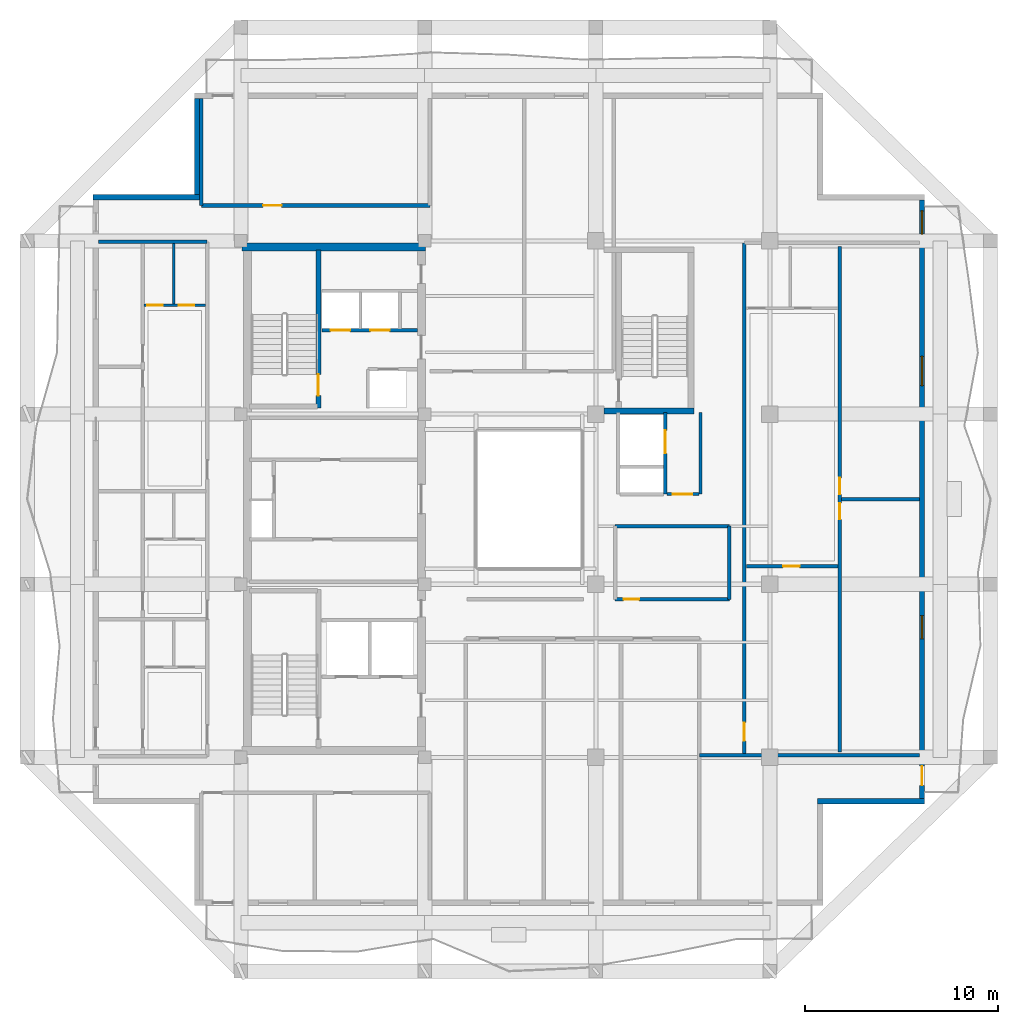
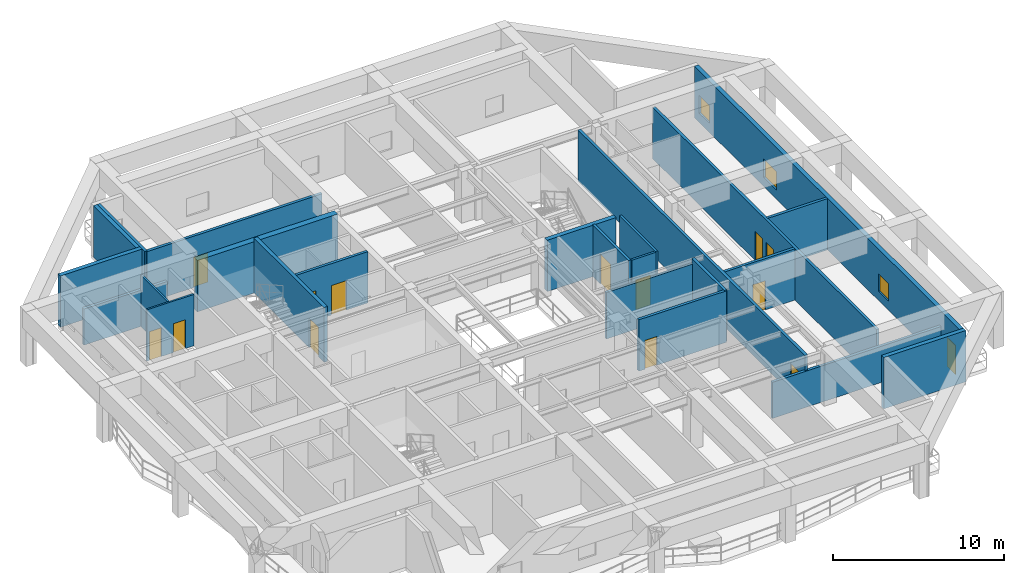
# One storey, part 5 of 11: 24 walls, 14 doors, 3 windows, 17 openings.
"""IFC4 building model written with IfcOpenShell, lengths in metres."""

from ifc_helpers import new_model, si_unit, direction, frame, frame_2d, origin, place, context, subcontext, project, spatial, rectangle, extrude, material, layer, layer_set, type_object, element, fill, save


model = new_model("IFC4")

# Units and contexts
model_context = context("Model", 3, precision=1e-05, world=origin(), true_north=direction((0.0, 1.0)))
body_context = subcontext(model_context, "Body", "Model", "MODEL_VIEW")
ifc_project = project(units=[si_unit("LENGTHUNIT", "METRE"), si_unit("AREAUNIT", "SQUARE_METRE"), si_unit("VOLUMEUNIT", "CUBIC_METRE"), si_unit("PLANEANGLEUNIT", "RADIAN"), si_unit("MASSUNIT", "GRAM", prefix="KILO")], contexts=[model_context])

# Site, building, storey
site_placement = place(None, origin())
site = spatial("IfcSite", under=ifc_project, at=site_placement, CompositionType="ELEMENT")
building_placement = place(site_placement, origin())
building = spatial("IfcBuilding", under=site, at=building_placement, Name="Kundavana Baori Tower", CompositionType="ELEMENT")
storey_placement = place(building_placement, frame((0.0, 0.0, 268.699951171875)))
storey = spatial("IfcBuildingStorey", under=building, at=storey_placement, Name="L66", CompositionType="ELEMENT", Elevation=268.699951171875)

# Wall
ifc_material_1 = material(Name="Concrete C50/60", Category="concrete")
ifc_layer_1 = layer(ifc_material_1, 0.39990234375, Name="WL-CORE-400")
ifc_layer_set_1 = layer_set([ifc_layer_1], Name="Concrete C50/60")
wall_type_1 = type_object("IfcWallType", Name="WL-CORE-400", PredefinedType="SHEAR", material=ifc_layer_set_1)
wall_1_placement = place(storey_placement, frame((15.5, 41.639892578125, 0.0), z_axis=(0.0, 0.0, 1.0), x_axis=(1.0, 0.0, 0.0)))
element("IfcWall", 1, at=wall_1_placement, inside=storey, type_object=wall_type_1, Name="L66 Offset Core North Shear Wall", PredefinedType="SHEAR", context=body_context, shape_type="SweptSolid", body=[
    extrude(rectangle(XDim=9.47998046875, YDim=0.39990234375, at=frame_2d((4.739990234375, 0.0))), origin(), (0.0, 0.0, 1.0), 3.66015625),
])

# Wall, opening, door
wall_2_placement = place(storey_placement, frame((19.4599609375, 33.300048828125, 0.0), z_axis=(0.0, 0.0, 1.0), x_axis=(0.0, 1.0, 0.0)))
wall_2 = element("IfcWall", 2, at=wall_2_placement, inside=storey, type_object=wall_type_1, Name="WL-L66-ST2-E", PredefinedType="SHEAR", context=body_context, shape_type="SweptSolid", body=[
    extrude(rectangle(XDim=8.179931640625, YDim=0.239990234375, at=frame_2d((4.08984375, 0.0))), origin(), (0.0, 0.0, 1.0), 3.900146484375),
])
opening_1_placement = place(wall_2_placement, frame((0.64990234375, 0.0, 0.0)))
opening_1 = element("IfcOpeningElement", 3, at=opening_1_placement, cuts=wall_2, Name="Opening FD-110", PredefinedType="OPENING", context=body_context, shape_type="SweptSolid", body=[
    extrude(rectangle(XDim=1.10009765625, YDim=2.10009765625, at=frame_2d((0.550048828125, 1.050048828125))), frame((0.0, 0.1298828125, 0.0), z_axis=(0.0, -1.0, 0.0), x_axis=(1.0, 0.0, 0.0)), (0.0, 0.0, 1.0), 0.260009765625),
])
ifc_material_2 = material(Name="Galvanised Steel Fire-Rated Door Leaf", Category="steel")
door_type_1 = type_object("IfcDoorType", Name="DR-FD120-1100", OperationType="NOTDEFINED", PredefinedType="DOOR", material=ifc_material_2)
door_1_placement = place(opening_1_placement, origin())
door_1 = element("IfcDoor", 4, at=door_1_placement, inside=storey, type_object=door_type_1, Name="DR-L66-ST2", OperationType="SINGLE_SWING_RIGHT", OverallHeight=2.10009765625, OverallWidth=1.10009765625, PredefinedType="DOOR", context=body_context, shape_type="SweptSolid", body=[
    extrude(rectangle(XDim=1.10009765625, YDim=2.10009765625, at=frame_2d((0.550048828125, 1.050048828125))), frame((0.0, 0.02490234375, 0.0), z_axis=(0.0, -1.0, 0.0), x_axis=(1.0, 0.0, 0.0)), (0.0, 0.0, 1.0), 0.050048828125),
])
fill(opening_1, door_1)

# Wall
ifc_material_3 = material(Name="Red-Buff Dholpur Sandstone Cladding on Concrete C40/50", Category="masonry")
ifc_layer_2 = layer(ifc_material_3, 0.280029296875, Name="WL-EXT-SAND-280")
ifc_layer_set_2 = layer_set([ifc_layer_2], Name="Red-Buff Dholpur Sandstone Cladding on Concrete C40/50")
wall_type_2 = type_object("IfcWallType", Name="WL-EXT-SAND-280", PredefinedType="STANDARD", material=ifc_layer_set_2)
wall_3_placement = place(storey_placement, frame((45.27001953125, 12.989990234375, 0.0), z_axis=(0.0, 0.0, 1.0), x_axis=(1.0, 0.0, 0.0)))
element("IfcWall", 5, at=wall_3_placement, inside=storey, type_object=wall_type_2, Name="L66 Exterior Insulated Facade Wall 03", PredefinedType="STANDARD", context=body_context, shape_type="SweptSolid", body=[
    extrude(rectangle(XDim=5.530029296875, YDim=0.280029296875, at=frame_2d((2.76513671875, 0.0))), origin(), (0.0, 0.0, 1.0), 3.66015625),
])

# Wall, openings, door, windows
wall_4_placement = place(storey_placement, frame((50.659912109375, 13.1298828125, 0.0), z_axis=(0.0, 0.0, 1.0), x_axis=(0.0, 1.0, 0.0)))
wall_4 = element("IfcWall", 6, at=wall_4_placement, inside=storey, type_object=wall_type_2, Name="L66 Exterior Insulated Facade Wall 04", PredefinedType="STANDARD", context=body_context, shape_type="SweptSolid", body=[
    extrude(rectangle(XDim=30.940185546875, YDim=0.280029296875, at=frame_2d((15.47021484375, 0.0))), origin(), (0.0, 0.0, 1.0), 3.66015625),
])
opening_2_placement = place(wall_4_placement, frame((0.669921875, 0.0, 0.0)))
opening_2 = element("IfcOpeningElement", 7, at=opening_2_placement, cuts=wall_4, Name="Opening BD-1", PredefinedType="OPENING", context=body_context, shape_type="SweptSolid", body=[
    extrude(rectangle(XDim=1.0, YDim=2.050048828125, at=frame_2d((0.5, 1.02490234375))), frame((0.0, 0.14990234375, 0.0), z_axis=(0.0, -1.0, 0.0), x_axis=(1.0, 0.0, 0.0)), (0.0, 0.0, 1.0), 0.300048828125),
])
opening_3_placement = place(wall_4_placement, frame((8.2451171875, 0.0, 0.64990234375)))
opening_3 = element("IfcOpeningElement", 8, at=opening_3_placement, cuts=wall_4, Name="Opening W-12", PredefinedType="OPENING", context=body_context, shape_type="SweptSolid", body=[
    extrude(rectangle(XDim=1.199951171875, YDim=1.25, at=frame_2d((0.60009765625, 0.625))), frame((0.0, 0.14990234375, 0.0), z_axis=(0.0, -1.0, 0.0), x_axis=(1.0, 0.0, 0.0)), (0.0, 0.0, 1.0), 0.300048828125),
])
opening_4_placement = place(wall_4_placement, frame((21.344970703125, 0.0, 0.64990234375)))
opening_4 = element("IfcOpeningElement", 9, at=opening_4_placement, cuts=wall_4, Name="Opening W-11", PredefinedType="OPENING", context=body_context, shape_type="SweptSolid", body=[
    extrude(rectangle(XDim=1.5, YDim=1.300048828125, at=frame_2d((0.75, 0.64990234375))), frame((0.0, 0.14990234375, 0.0), z_axis=(0.0, -1.0, 0.0), x_axis=(1.0, 0.0, 0.0)), (0.0, 0.0, 1.0), 0.300048828125),
])
opening_5_placement = place(wall_4_placement, frame((29.175048828125, 0.0, 0.64990234375)))
opening_5 = element("IfcOpeningElement", 10, at=opening_5_placement, cuts=wall_4, Name="Opening W-12", PredefinedType="OPENING", context=body_context, shape_type="SweptSolid", body=[
    extrude(rectangle(XDim=1.199951171875, YDim=1.25, at=frame_2d((0.60009765625, 0.625))), frame((0.0, 0.14990234375, 0.0), z_axis=(0.0, -1.0, 0.0), x_axis=(1.0, 0.0, 0.0)), (0.0, 0.0, 1.0), 0.300048828125),
])
ifc_material_4 = material(Name="Architectural Patinated Bronze Metalwork")
door_type_2 = type_object("IfcDoorType", Name="DR-EXT-LOG-1000", OperationType="NOTDEFINED", PredefinedType="DOOR", material=ifc_material_4)
door_2_placement = place(opening_2_placement, frame((1.0, 0.0, 0.0), z_axis=(0.0, 0.0, 1.0), x_axis=(-1.0, 0.0, 0.0)))
door_2 = element("IfcDoor", 11, at=door_2_placement, inside=storey, type_object=door_type_2, Name="L66 Loggia Balcony Access Door E", OperationType="SINGLE_SWING_RIGHT", OverallHeight=2.050048828125, OverallWidth=1.0, PredefinedType="DOOR", context=body_context, shape_type="SweptSolid", body=[
    extrude(rectangle(XDim=1.0, YDim=2.050048828125, at=frame_2d((0.5, 1.02490234375))), frame((0.0, 0.02490234375, 0.0), z_axis=(0.0, -1.0, 0.0), x_axis=(1.0, 0.0, 0.0)), (0.0, 0.0, 1.0), 0.050048828125),
])
fill(opening_2, door_2)
ifc_material_5 = material(Name="Double-Glazed Solar-Control Low-E Insulated Glass", Category="glass")
window_type_1 = type_object("IfcWindowType", Name="WIN-TRN-1200x1250", PartitioningType="SINGLE_PANEL", PredefinedType="WINDOW", material=ifc_material_5)
window_1_placement = place(opening_3_placement, origin())
window_1 = element("IfcWindow", 12, at=window_1_placement, inside=storey, type_object=window_type_1, Name="L66 Recessed Loggia Window E-2", OverallHeight=1.25, OverallWidth=1.199951171875, PartitioningType="SINGLE_PANEL", PredefinedType="WINDOW", context=body_context, shape_type="SweptSolid", body=[
    extrude(rectangle(XDim=1.199951171875, YDim=1.25, at=frame_2d((0.60009765625, 0.625))), frame((0.0, 0.030029296875, 0.0), z_axis=(0.0, -1.0, 0.0), x_axis=(1.0, 0.0, 0.0)), (0.0, 0.0, 1.0), 0.06005859375),
])
fill(opening_3, window_1)
window_2_placement = place(opening_5_placement, origin())
window_2 = element("IfcWindow", 13, at=window_2_placement, inside=storey, type_object=window_type_1, Name="L66 Recessed Loggia Window E-4", OverallHeight=1.25, OverallWidth=1.199951171875, PartitioningType="SINGLE_PANEL", PredefinedType="WINDOW", context=body_context, shape_type="SweptSolid", body=[
    extrude(rectangle(XDim=1.199951171875, YDim=1.25, at=frame_2d((0.60009765625, 0.625))), frame((0.0, 0.030029296875, 0.0), z_axis=(0.0, -1.0, 0.0), x_axis=(1.0, 0.0, 0.0)), (0.0, 0.0, 1.0), 0.06005859375),
])
fill(opening_5, window_2)
ifc_material_6 = material(Name="Double-Glazed Solar-Control Low-E Insulated Glass", Category="glass")
window_type_2 = type_object("IfcWindowType", Name="WIN-TRN-1500x1300", PartitioningType="SINGLE_PANEL", PredefinedType="WINDOW", material=ifc_material_6)
window_3_placement = place(opening_4_placement, origin())
window_3 = element("IfcWindow", 14, at=window_3_placement, inside=storey, type_object=window_type_2, Name="L66 Recessed Loggia Window E-3", OverallHeight=1.300048828125, OverallWidth=1.5, PartitioningType="SINGLE_PANEL", PredefinedType="WINDOW", context=body_context, shape_type="SweptSolid", body=[
    extrude(rectangle(XDim=1.5, YDim=1.300048828125, at=frame_2d((0.75, 0.64990234375))), frame((0.0, 0.030029296875, 0.0), z_axis=(0.0, -1.0, 0.0), x_axis=(1.0, 0.0, 0.0)), (0.0, 0.0, 1.0), 0.06005859375),
])
fill(opening_4, window_3)

# Walls
wall_5_placement = place(storey_placement, frame((13.18994140625, 49.320068359375, 0.0), z_axis=(0.0, 0.0, 1.0), x_axis=(0.0, -1.0, 0.0)))
element("IfcWall", 15, at=wall_5_placement, inside=storey, type_object=wall_type_2, Name="L66 Exterior Insulated Facade Wall 08", PredefinedType="STANDARD", context=body_context, shape_type="SweptSolid", body=[
    extrude(rectangle(XDim=4.969970703125, YDim=0.280029296875, at=frame_2d((2.48486328125, 0.0))), origin(), (0.0, 0.0, 1.0), 3.66015625),
])
wall_6_placement = place(storey_placement, frame((13.330078125, 44.2099609375, 0.0), z_axis=(0.0, 0.0, 1.0), x_axis=(-1.0, 0.0, 0.0)))
element("IfcWall", 16, at=wall_6_placement, inside=storey, type_object=wall_type_2, Name="L66 Exterior Insulated Facade Wall 09", PredefinedType="STANDARD", context=body_context, shape_type="SweptSolid", body=[
    extrude(rectangle(XDim=5.530029296875, YDim=0.280029296875, at=frame_2d((2.76513671875, 0.0))), origin(), (0.0, 0.0, 1.0), 3.66015625),
])
ifc_material_7 = material(Name="Fire-Rated Gypsum Drywall on Galvanised Steel Studs", Category="steel")
ifc_layer_3 = layer(ifc_material_7, 0.14990234375, Name="WL-PART-150")
ifc_layer_set_3 = layer_set([ifc_layer_3], Name="Fire-Rated Gypsum Drywall on Galvanised Steel Studs")
wall_type_3 = type_object("IfcWallType", Name="WL-PART-150", PredefinedType="PARTITIONING", material=ifc_layer_set_3)
wall_7_placement = place(storey_placement, frame((39.199951171875, 28.860107421875, 0.0), z_axis=(0.0, 0.0, 1.0), x_axis=(0.0, 1.0, 0.0)))
element("IfcWall", 17, at=wall_7_placement, inside=storey, type_object=wall_type_3, Name="WL-L66-SVLOB-E", PredefinedType="PARTITIONING", context=body_context, shape_type="SweptSolid", body=[
    extrude(rectangle(XDim=4.219970703125, YDim=0.14990234375, at=frame_2d((2.10986328125, 0.0))), origin(), (0.0, 0.0, 1.0), 3.66015625),
])

# Wall, opening, door
wall_8_placement = place(storey_placement, frame((37.47998046875, 28.860107421875, 0.0), z_axis=(0.0, 0.0, 1.0), x_axis=(1.0, 0.0, 0.0)))
wall_8 = element("IfcWall", 18, at=wall_8_placement, inside=storey, type_object=wall_type_3, Name="WL-L66-SVLOB-S", PredefinedType="PARTITIONING", context=body_context, shape_type="SweptSolid", body=[
    extrude(rectangle(XDim=1.64013671875, YDim=0.14990234375, at=frame_2d((0.820068359375, 0.0))), origin(), (0.0, 0.0, 1.0), 3.66015625),
])
opening_6_placement = place(wall_8_placement, frame((0.300048828125, 0.0, 0.0)))
opening_6 = element("IfcOpeningElement", 19, at=opening_6_placement, cuts=wall_8, Name="Opening FD-100", PredefinedType="OPENING", context=body_context, shape_type="SweptSolid", body=[
    extrude(rectangle(XDim=1.0, YDim=2.10009765625, at=frame_2d((0.5, 1.050048828125))), frame((0.0, 0.0849609375, 0.0), z_axis=(0.0, -1.0, 0.0), x_axis=(1.0, 0.0, 0.0)), (0.0, 0.0, 1.0), 0.169921875),
])
ifc_material_8 = material(Name="Engineered Teak Fire-Rated Timber Door Leaf", Category="wood")
door_type_3 = type_object("IfcDoorType", Name="DR-FD60-1000", OperationType="NOTDEFINED", PredefinedType="DOOR", material=ifc_material_8)
door_3_placement = place(opening_6_placement, origin())
door_3 = element("IfcDoor", 20, at=door_3_placement, inside=storey, type_object=door_type_3, Name="DR-L66-SVLOB-OUT", OperationType="SINGLE_SWING_LEFT", OverallHeight=2.10009765625, OverallWidth=1.0, PredefinedType="DOOR", context=body_context, shape_type="SweptSolid", body=[
    extrude(rectangle(XDim=1.0, YDim=2.10009765625, at=frame_2d((0.5, 1.050048828125))), frame((0.0, 0.02490234375, 0.0), z_axis=(0.0, -1.0, 0.0), x_axis=(1.0, 0.0, 0.0)), (0.0, 0.0, 1.0), 0.050048828125),
])
fill(opening_6, door_3)

ifc_material_9 = material(Name="Autoclaved Aerated Concrete Blockwork Masonry", Category="masonry")
ifc_layer_4 = layer(ifc_material_9, 0.18505859375, Name="WL-PART-180")
ifc_layer_set_4 = layer_set([ifc_layer_4], Name="Autoclaved Aerated Concrete Blockwork Masonry")
wall_type_4 = type_object("IfcWallType", Name="WL-PART-180", PredefinedType="SOLIDWALL", material=ifc_layer_set_4)
wall_9_placement = place(storey_placement, frame((13.39990234375, 43.780029296875, 0.0), z_axis=(0.0, 0.0, 1.0), x_axis=(1.0, 0.0, 0.0)))
wall_9 = element("IfcWall", 21, at=wall_9_placement, inside=storey, type_object=wall_type_4, Name="WL-L66-RNC", PredefinedType="SOLIDWALL", context=body_context, shape_type="SweptSolid", body=[
    extrude(rectangle(XDim=11.820068359375, YDim=0.18505859375, at=frame_2d((5.91015625, 0.0))), origin(), (0.0, 0.0, 1.0), 3.66015625),
])
opening_7_placement = place(wall_9_placement, frame((3.199951171875, 0.0, 0.0)))
opening_7 = element("IfcOpeningElement", 22, at=opening_7_placement, cuts=wall_9, Name="Opening ID-095", PredefinedType="OPENING", context=body_context, shape_type="SweptSolid", body=[
    extrude(rectangle(XDim=0.949951171875, YDim=2.080078125, at=frame_2d((0.47509765625, 1.0400390625))), frame((0.0, 0.1025390625, 0.0), z_axis=(0.0, -1.0, 0.0), x_axis=(1.0, 0.0, 0.0)), (0.0, 0.0, 1.0), 0.205078125),
])
ifc_material_10 = material(Name="Engineered Teak Solid-Core Timber Veneer", Category="wood")
door_type_4 = type_object("IfcDoorType", Name="DR-INT-950", OperationType="NOTDEFINED", PredefinedType="DOOR", material=ifc_material_10)
door_4_placement = place(opening_7_placement, origin())
door_4 = element("IfcDoor", 23, at=door_4_placement, inside=storey, type_object=door_type_4, Name="DR-L66-RMNW", OperationType="SINGLE_SWING_RIGHT", OverallHeight=2.080078125, OverallWidth=0.949951171875, PredefinedType="DOOR", context=body_context, shape_type="SweptSolid", body=[
    extrude(rectangle(XDim=0.949951171875, YDim=2.080078125, at=frame_2d((0.47509765625, 1.0400390625))), frame((0.0, 0.02490234375, 0.0), z_axis=(0.0, -1.0, 0.0), x_axis=(1.0, 0.0, 0.0)), (0.0, 0.0, 1.0), 0.050048828125),
])
fill(opening_7, door_4)

# Walls
wall_10_placement = place(storey_placement, frame((13.39990234375, 43.780029296875, 0.0), z_axis=(0.0, 0.0, 1.0), x_axis=(0.0, 1.0, 0.0)))
element("IfcWall", 24, at=wall_10_placement, inside=storey, type_object=wall_type_4, Name="WL-L66-RNCW", PredefinedType="SOLIDWALL", context=body_context, shape_type="SweptSolid", body=[
    extrude(rectangle(XDim=5.5400390625, YDim=0.18505859375, at=frame_2d((2.77001953125, 0.0))), origin(), (0.0, 0.0, 1.0), 3.66015625),
])
wall_11_placement = place(storey_placement, frame((8.080078125, 41.89990234375, 0.0), z_axis=(0.0, 0.0, 1.0), x_axis=(1.0, 0.0, 0.0)))
element("IfcWall", 25, at=wall_11_placement, inside=storey, type_object=wall_type_4, Name="WL-L66-RWN", PredefinedType="SOLIDWALL", context=body_context, shape_type="SweptSolid", body=[
    extrude(rectangle(XDim=5.619873046875, YDim=0.18505859375, at=frame_2d((2.81005859375, 0.0))), origin(), (0.0, 0.0, 1.0), 2.580078125),
])

# Wall, opening, door
wall_12_placement = place(storey_placement, frame((41.47998046875, 15.35009765625, 0.0), z_axis=(0.0, 0.0, 1.0), x_axis=(0.0, 1.0, 0.0)))
wall_12 = element("IfcWall", 26, at=wall_12_placement, inside=storey, type_object=wall_type_4, Name="WL-L66-RE", PredefinedType="SOLIDWALL", context=body_context, shape_type="SweptSolid", body=[
    extrude(rectangle(XDim=26.5, YDim=0.18505859375, at=frame_2d((13.25, 0.0))), origin(), (0.0, 0.0, 1.0), 3.66015625),
])
opening_8_placement = place(wall_12_placement, frame((0.75, 0.0, 0.0)))
opening_8 = element("IfcOpeningElement", 27, at=opening_8_placement, cuts=wall_12, Name="Opening FD-095", PredefinedType="OPENING", context=body_context, shape_type="SweptSolid", body=[
    extrude(rectangle(XDim=0.949951171875, YDim=2.10009765625, at=frame_2d((0.47509765625, 1.050048828125))), frame((0.0, 0.1025390625, 0.0), z_axis=(0.0, -1.0, 0.0), x_axis=(1.0, 0.0, 0.0)), (0.0, 0.0, 1.0), 0.205078125),
])
ifc_material_11 = material(Name="Engineered Teak Fire-Rated Timber Door Leaf", Category="wood")
door_type_5 = type_object("IfcDoorType", Name="DR-FD60-950", OperationType="NOTDEFINED", PredefinedType="DOOR", material=ifc_material_11)
door_5_placement = place(opening_8_placement, origin())
door_5 = element("IfcDoor", 28, at=door_5_placement, inside=storey, type_object=door_type_5, Name="DR-L66-E1-ENT", OperationType="SINGLE_SWING_LEFT", OverallHeight=2.10009765625, OverallWidth=0.949951171875, PredefinedType="DOOR", context=body_context, shape_type="SweptSolid", body=[
    extrude(rectangle(XDim=0.949951171875, YDim=2.10009765625, at=frame_2d((0.47509765625, 1.050048828125))), frame((0.0, 0.02490234375, 0.0), z_axis=(0.0, -1.0, 0.0), x_axis=(1.0, 0.0, 0.0)), (0.0, 0.0, 1.0), 0.050048828125),
])
fill(opening_8, door_5)

# Wall
wall_13_placement = place(storey_placement, frame((39.14990234375, 15.35009765625, 0.0), z_axis=(0.0, 0.0, 1.0), x_axis=(1.0, 0.0, 0.0)))
element("IfcWall", 29, at=wall_13_placement, inside=storey, type_object=wall_type_4, Name="WL-L66-RES", PredefinedType="SOLIDWALL", context=body_context, shape_type="SweptSolid", body=[
    extrude(rectangle(XDim=11.3701171875, YDim=0.18505859375, at=frame_2d((5.68505859375, 0.0))), origin(), (0.0, 0.0, 1.0), 2.580078125),
])

# Wall, openings, doors
wall_14_placement = place(storey_placement, frame((46.407958984375, 15.530029296875, 0.0), z_axis=(0.0, 0.0, 1.0), x_axis=(0.0, 1.0, 0.0)))
wall_14 = element("IfcWall", 30, at=wall_14_placement, inside=storey, type_object=wall_type_4, Name="WL-L66-E1-VT", PredefinedType="SOLIDWALL", context=body_context, shape_type="SweptSolid", body=[
    extrude(rectangle(XDim=26.139892578125, YDim=0.18505859375, at=frame_2d((13.06982421875, 0.0))), origin(), (0.0, 0.0, 1.0), 3.66015625),
])
opening_9_placement = place(wall_14_placement, frame((12.02001953125, 0.0, 0.0)))
opening_9 = element("IfcOpeningElement", 31, at=opening_9_placement, cuts=wall_14, Name="Opening ID-085", PredefinedType="OPENING", context=body_context, shape_type="SweptSolid", body=[
    extrude(rectangle(XDim=0.85009765625, YDim=2.080078125, at=frame_2d((0.425048828125, 1.0400390625))), frame((0.0, 0.1025390625, 0.0), z_axis=(0.0, -1.0, 0.0), x_axis=(1.0, 0.0, 0.0)), (0.0, 0.0, 1.0), 0.205078125),
])
opening_10_placement = place(wall_14_placement, frame((13.320068359375, 0.0, 0.0)))
opening_10 = element("IfcOpeningElement", 32, at=opening_10_placement, cuts=wall_14, Name="Opening ID-085", PredefinedType="OPENING", context=body_context, shape_type="SweptSolid", body=[
    extrude(rectangle(XDim=0.85009765625, YDim=2.080078125, at=frame_2d((0.425048828125, 1.0400390625))), frame((0.0, 0.1025390625, 0.0), z_axis=(0.0, -1.0, 0.0), x_axis=(1.0, 0.0, 0.0)), (0.0, 0.0, 1.0), 0.205078125),
])
ifc_material_12 = material(Name="Engineered Teak Solid-Core Timber Veneer", Category="wood")
door_type_6 = type_object("IfcDoorType", Name="DR-INT-850", OperationType="NOTDEFINED", PredefinedType="DOOR", material=ifc_material_12)
door_6_placement = place(opening_9_placement, origin())
door_6 = element("IfcDoor", 33, at=door_6_placement, inside=storey, type_object=door_type_6, Name="DR-L66-E1-B1", OperationType="SINGLE_SWING_LEFT", OverallHeight=2.080078125, OverallWidth=0.85009765625, PredefinedType="DOOR", context=body_context, shape_type="SweptSolid", body=[
    extrude(rectangle(XDim=0.85009765625, YDim=2.080078125, at=frame_2d((0.425048828125, 1.0400390625))), frame((0.0, 0.02490234375, 0.0), z_axis=(0.0, -1.0, 0.0), x_axis=(1.0, 0.0, 0.0)), (0.0, 0.0, 1.0), 0.050048828125),
])
fill(opening_9, door_6)
door_7_placement = place(opening_10_placement, origin())
door_7 = element("IfcDoor", 34, at=door_7_placement, inside=storey, type_object=door_type_6, Name="DR-L66-E1-B2", OperationType="SINGLE_SWING_RIGHT", OverallHeight=2.080078125, OverallWidth=0.85009765625, PredefinedType="DOOR", context=body_context, shape_type="SweptSolid", body=[
    extrude(rectangle(XDim=0.85009765625, YDim=2.080078125, at=frame_2d((0.425048828125, 1.0400390625))), frame((0.0, 0.02490234375, 0.0), z_axis=(0.0, -1.0, 0.0), x_axis=(1.0, 0.0, 0.0)), (0.0, 0.0, 1.0), 0.050048828125),
])
fill(opening_10, door_7)

# Wall, opening, door
wall_15_placement = place(storey_placement, frame((41.580078125, 25.131103515625, 0.0), z_axis=(0.0, 0.0, 1.0), x_axis=(1.0, 0.0, 0.0)))
wall_15 = element("IfcWall", 35, at=wall_15_placement, inside=storey, type_object=wall_type_4, Name="WL-L66-E1-STH", PredefinedType="SOLIDWALL", context=body_context, shape_type="SweptSolid", body=[
    extrude(rectangle(XDim=4.747802734375, YDim=0.18505859375, at=frame_2d((2.3740234375, 0.0))), origin(), (0.0, 0.0, 1.0), 3.66015625),
])
opening_11_placement = place(wall_15_placement, frame((1.89990234375, 0.0, 0.0)))
opening_11 = element("IfcOpeningElement", 36, at=opening_11_placement, cuts=wall_15, Name="Opening ID-085", PredefinedType="OPENING", context=body_context, shape_type="SweptSolid", body=[
    extrude(rectangle(XDim=0.85009765625, YDim=2.080078125, at=frame_2d((0.425048828125, 1.0400390625))), frame((0.0, 0.1025390625, 0.0), z_axis=(0.0, -1.0, 0.0), x_axis=(1.0, 0.0, 0.0)), (0.0, 0.0, 1.0), 0.205078125),
])
door_8_placement = place(opening_11_placement, frame((0.85009765625, 0.0, 0.0), z_axis=(0.0, 0.0, 1.0), x_axis=(-1.0, 0.0, 0.0)))
door_8 = element("IfcDoor", 37, at=door_8_placement, inside=storey, type_object=door_type_6, Name="DR-L66-E1-STD", OperationType="SINGLE_SWING_LEFT", OverallHeight=2.080078125, OverallWidth=0.85009765625, PredefinedType="DOOR", context=body_context, shape_type="SweptSolid", body=[
    extrude(rectangle(XDim=0.85009765625, YDim=2.080078125, at=frame_2d((0.425048828125, 1.0400390625))), frame((0.0, 0.02490234375, 0.0), z_axis=(0.0, -1.0, 0.0), x_axis=(1.0, 0.0, 0.0)), (0.0, 0.0, 1.0), 0.050048828125),
])
fill(opening_11, door_8)

# Wall
wall_16_placement = place(storey_placement, frame((46.488037109375, 28.60009765625, 0.0), z_axis=(0.0, 0.0, 1.0), x_axis=(1.0, 0.0, 0.0)))
element("IfcWall", 38, at=wall_16_placement, inside=storey, type_object=wall_type_4, Name="WL-L66-E1-BDH", PredefinedType="SOLIDWALL", context=body_context, shape_type="SweptSolid", body=[
    extrude(rectangle(XDim=4.031982421875, YDim=0.18505859375, at=frame_2d((2.01611328125, 0.0))), origin(), (0.0, 0.0, 1.0), 3.66015625),
])

# Wall, opening, door
wall_17_placement = place(storey_placement, frame((34.800048828125, 23.419921875, 0.0), z_axis=(0.0, 0.0, 1.0), x_axis=(1.0, 0.0, 0.0)))
wall_17 = element("IfcWall", 39, at=wall_17_placement, inside=storey, type_object=wall_type_4, Name="WL-L66-ALS", PredefinedType="SOLIDWALL", context=body_context, shape_type="SweptSolid", body=[
    extrude(rectangle(XDim=5.89990234375, YDim=0.18505859375, at=frame_2d((2.949951171875, 0.0))), origin(), (0.0, 0.0, 1.0), 3.66015625),
])
opening_12_placement = place(wall_17_placement, frame((0.429931640625, 0.0, 0.0)))
opening_12 = element("IfcOpeningElement", 40, at=opening_12_placement, cuts=wall_17, Name="Opening WD-080", PredefinedType="OPENING", context=body_context, shape_type="SweptSolid", body=[
    extrude(rectangle(XDim=0.800048828125, YDim=2.050048828125, at=frame_2d((0.39990234375, 1.02490234375))), frame((0.0, 0.1025390625, 0.0), z_axis=(0.0, -1.0, 0.0), x_axis=(1.0, 0.0, 0.0)), (0.0, 0.0, 1.0), 0.205078125),
])
ifc_material_13 = material(Name="Engineered Teak Solid-Core Timber Veneer", Category="wood")
door_type_7 = type_object("IfcDoorType", Name="DR-WET-800", OperationType="NOTDEFINED", PredefinedType="DOOR", material=ifc_material_13)
door_9_placement = place(opening_12_placement, origin())
door_9 = element("IfcDoor", 41, at=door_9_placement, inside=storey, type_object=door_type_7, Name="DR-L66-RALC1", OperationType="SINGLE_SWING_LEFT", OverallHeight=2.050048828125, OverallWidth=0.800048828125, PredefinedType="DOOR", context=body_context, shape_type="SweptSolid", body=[
    extrude(rectangle(XDim=0.800048828125, YDim=2.050048828125, at=frame_2d((0.39990234375, 1.02490234375))), frame((0.0, 0.02490234375, 0.0), z_axis=(0.0, -1.0, 0.0), x_axis=(1.0, 0.0, 0.0)), (0.0, 0.0, 1.0), 0.050048828125),
])
fill(opening_12, door_9)

# Walls
wall_18_placement = place(storey_placement, frame((34.800048828125, 27.199951171875, 0.0), z_axis=(0.0, 0.0, 1.0), x_axis=(1.0, 0.0, 0.0)))
element("IfcWall", 42, at=wall_18_placement, inside=storey, type_object=wall_type_4, Name="WL-L66-ALN", PredefinedType="SOLIDWALL", context=body_context, shape_type="SweptSolid", body=[
    extrude(rectangle(XDim=5.89990234375, YDim=0.18505859375, at=frame_2d((2.949951171875, 0.0))), origin(), (0.0, 0.0, 1.0), 3.31005859375),
])
wall_19_placement = place(storey_placement, frame((40.699951171875, 23.419921875, 0.0), z_axis=(0.0, 0.0, 1.0), x_axis=(0.0, 1.0, 0.0)))
element("IfcWall", 43, at=wall_19_placement, inside=storey, type_object=wall_type_4, Name="WL-L66-ALE", PredefinedType="SOLIDWALL", context=body_context, shape_type="SweptSolid", body=[
    extrude(rectangle(XDim=3.780029296875, YDim=0.18505859375, at=frame_2d((1.89013671875, 0.0))), origin(), (0.0, 0.0, 1.0), 3.66015625),
])

# Wall, openings, doors
ifc_material_14 = material(Name="Autoclaved Aerated Concrete Blockwork Masonry", Category="masonry")
ifc_layer_5 = layer(ifc_material_14, 0.179931640625, Name="WL-SHAFT-180")
ifc_layer_set_5 = layer_set([ifc_layer_5], Name="Autoclaved Aerated Concrete Blockwork Masonry")
wall_type_5 = type_object("IfcWallType", Name="WL-SHAFT-180", PredefinedType="SOLIDWALL", material=ifc_layer_set_5)
wall_20_placement = place(storey_placement, frame((19.639892578125, 37.340087890625, 0.0), z_axis=(0.0, 0.0, 1.0), x_axis=(1.0, 0.0, 0.0)))
wall_20 = element("IfcWall", 44, at=wall_20_placement, inside=storey, type_object=wall_type_5, Name="WL-L66-HRLOB-N", PredefinedType="SOLIDWALL", context=body_context, shape_type="SweptSolid", body=[
    extrude(rectangle(XDim=4.940185546875, YDim=0.179931640625, at=frame_2d((2.47021484375, 0.0))), origin(), (0.0, 0.0, 1.0), 3.66015625),
])
opening_13_placement = place(wall_20_placement, frame((0.449951171875, 0.0, 0.0)))
opening_13 = element("IfcOpeningElement", 45, at=opening_13_placement, cuts=wall_20, Name="Opening LD-100", PredefinedType="OPENING", context=body_context, shape_type="SweptSolid", body=[
    extrude(rectangle(XDim=1.0, YDim=2.10009765625, at=frame_2d((0.5, 1.050048828125))), frame((0.0, 0.10009765625, 0.0), z_axis=(0.0, -1.0, 0.0), x_axis=(1.0, 0.0, 0.0)), (0.0, 0.0, 1.0), 0.199951171875),
])
opening_14_placement = place(wall_20_placement, frame((2.5, 0.0, 0.0)))
opening_14 = element("IfcOpeningElement", 46, at=opening_14_placement, cuts=wall_20, Name="Opening LD-100", PredefinedType="OPENING", context=body_context, shape_type="SweptSolid", body=[
    extrude(rectangle(XDim=1.0, YDim=2.10009765625, at=frame_2d((0.5, 1.050048828125))), frame((0.0, 0.10009765625, 0.0), z_axis=(0.0, -1.0, 0.0), x_axis=(1.0, 0.0, 0.0)), (0.0, 0.0, 1.0), 0.199951171875),
])
ifc_material_15 = material(Name="Galvanised Steel Fire-Rated Door Leaf", Category="steel")
door_type_8 = type_object("IfcDoorType", Name="DR-SLIDE-LD1000", OperationType="NOTDEFINED", PredefinedType="DOOR", material=ifc_material_15)
door_10_placement = place(opening_13_placement, frame((1.0, 0.0, 0.0), z_axis=(0.0, 0.0, 1.0), x_axis=(-1.0, 0.0, 0.0)))
door_10 = element("IfcDoor", 47, at=door_10_placement, inside=storey, type_object=door_type_8, Name="DR-L66-LD-LP09", OperationType="DOUBLE_DOOR_SLIDING", OverallHeight=2.10009765625, OverallWidth=1.0, PredefinedType="DOOR", context=body_context, shape_type="SweptSolid", body=[
    extrude(rectangle(XDim=1.0, YDim=2.10009765625, at=frame_2d((0.5, 1.050048828125))), frame((0.0, 0.02490234375, 0.0), z_axis=(0.0, -1.0, 0.0), x_axis=(1.0, 0.0, 0.0)), (0.0, 0.0, 1.0), 0.050048828125),
])
fill(opening_13, door_10)
door_11_placement = place(opening_14_placement, frame((1.0, 0.0, 0.0), z_axis=(0.0, 0.0, 1.0), x_axis=(-1.0, 0.0, 0.0)))
door_11 = element("IfcDoor", 48, at=door_11_placement, inside=storey, type_object=door_type_8, Name="DR-L66-LD-LP10", OperationType="DOUBLE_DOOR_SLIDING", OverallHeight=2.10009765625, OverallWidth=1.0, PredefinedType="DOOR", context=body_context, shape_type="SweptSolid", body=[
    extrude(rectangle(XDim=1.0, YDim=2.10009765625, at=frame_2d((0.5, 1.050048828125))), frame((0.0, 0.02490234375, 0.0), z_axis=(0.0, -1.0, 0.0), x_axis=(1.0, 0.0, 0.0)), (0.0, 0.0, 1.0), 0.050048828125),
])
fill(opening_14, door_11)

# Wall, opening, door
wall_21_placement = place(storey_placement, frame((37.389892578125, 28.860107421875, 0.0), z_axis=(0.0, 0.0, 1.0), x_axis=(0.0, 1.0, 0.0)))
wall_21 = element("IfcWall", 49, at=wall_21_placement, inside=storey, type_object=wall_type_5, Name="WL-L66-SVL-E", PredefinedType="SOLIDWALL", context=body_context, shape_type="SweptSolid", body=[
    extrude(rectangle(XDim=4.219970703125, YDim=0.179931640625, at=frame_2d((2.10986328125, 0.0))), origin(), (0.0, 0.0, 1.0), 3.66015625),
])
opening_15_placement = place(wall_21_placement, frame((2.10009765625, 0.0, 0.0)))
opening_15 = element("IfcOpeningElement", 50, at=opening_15_placement, cuts=wall_21, Name="Opening LD-120", PredefinedType="OPENING", context=body_context, shape_type="SweptSolid", body=[
    extrude(rectangle(XDim=1.199951171875, YDim=2.1201171875, at=frame_2d((0.60009765625, 1.06005859375))), frame((0.0, 0.10009765625, 0.0), z_axis=(0.0, -1.0, 0.0), x_axis=(1.0, 0.0, 0.0)), (0.0, 0.0, 1.0), 0.199951171875),
])
ifc_material_16 = material(Name="Galvanised Steel Fire-Rated Door Leaf", Category="steel")
door_type_9 = type_object("IfcDoorType", Name="DR-SLIDE-LD1200", OperationType="NOTDEFINED", PredefinedType="DOOR", material=ifc_material_16)
door_12_placement = place(opening_15_placement, frame((1.199951171875, 0.0, 0.0), z_axis=(0.0, 0.0, 1.0), x_axis=(-1.0, 0.0, 0.0)))
door_12 = element("IfcDoor", 51, at=door_12_placement, inside=storey, type_object=door_type_9, Name="DR-L66-LD-SVL1", OperationType="DOUBLE_DOOR_SLIDING", OverallHeight=2.1201171875, OverallWidth=1.199951171875, PredefinedType="DOOR", context=body_context, shape_type="SweptSolid", body=[
    extrude(rectangle(XDim=1.199951171875, YDim=2.1201171875, at=frame_2d((0.60009765625, 1.06005859375))), frame((0.0, 0.02490234375, 0.0), z_axis=(0.0, -1.0, 0.0), x_axis=(1.0, 0.0, 0.0)), (0.0, 0.0, 1.0), 0.050048828125),
])
fill(opening_15, door_12)

# Wall
ifc_material_17 = material(Name="Concrete C50/60", Category="concrete")
ifc_layer_6 = layer(ifc_material_17, 0.300048828125, Name="WL-ST3-300")
ifc_layer_set_6 = layer_set([ifc_layer_6], Name="Concrete C50/60")
wall_type_6 = type_object("IfcWallType", Name="WL-ST3-300", PredefinedType="SHEAR", material=ifc_layer_set_6)
wall_22_placement = place(storey_placement, frame((34.22509765625, 33.159912109375, 0.0), z_axis=(0.0, 0.0, 1.0), x_axis=(1.0, 0.0, 0.0)))
element("IfcWall", 52, at=wall_22_placement, inside=storey, type_object=wall_type_6, Name="L66 Stair ST3 South Shear Wall", PredefinedType="SHEAR", context=body_context, shape_type="SweptSolid", body=[
    extrude(rectangle(XDim=4.64501953125, YDim=0.300048828125, at=frame_2d((2.322509765625, 0.0))), origin(), (0.0, 0.0, 1.0), 3.66015625),
])

# Wall, openings, doors
ifc_material_18 = material(Name="Autoclaved Aerated Concrete Blockwork Masonry", Category="masonry")
ifc_layer_7 = layer(ifc_material_18, 0.125, Name="WL-WET-120")
ifc_layer_set_7 = layer_set([ifc_layer_7], Name="Autoclaved Aerated Concrete Blockwork Masonry")
wall_type_7 = type_object("IfcWallType", Name="WL-WET-120", PredefinedType="PLUMBINGWALL", material=ifc_layer_set_7)
wall_23_placement = place(storey_placement, frame((10.449951171875, 38.6201171875, 0.0), z_axis=(0.0, 0.0, 1.0), x_axis=(1.0, 0.0, 0.0)))
wall_23 = element("IfcWall", 53, at=wall_23_placement, inside=storey, type_object=wall_type_7, Name="WL-L66-W3-KH", PredefinedType="PLUMBINGWALL", context=body_context, shape_type="SweptSolid", body=[
    extrude(rectangle(XDim=3.170166015625, YDim=0.125, at=frame_2d((1.5849609375, 0.0))), origin(), (0.0, 0.0, 1.0), 3.66015625),
])
opening_16_placement = place(wall_23_placement, frame((0.159912109375, 0.0, 0.0)))
opening_16 = element("IfcOpeningElement", 54, at=opening_16_placement, cuts=wall_23, Name="Opening WD-080", PredefinedType="OPENING", context=body_context, shape_type="SweptSolid", body=[
    extrude(rectangle(XDim=0.800048828125, YDim=2.050048828125, at=frame_2d((0.39990234375, 1.02490234375))), frame((0.0, 0.072509765625, 0.0), z_axis=(0.0, -1.0, 0.0), x_axis=(1.0, 0.0, 0.0)), (0.0, 0.0, 1.0), 0.14501953125),
])
opening_17_placement = place(wall_23_placement, frame((1.781982421875, 0.0, 0.0)))
opening_17 = element("IfcOpeningElement", 55, at=opening_17_placement, cuts=wall_23, Name="Opening WD-080", PredefinedType="OPENING", context=body_context, shape_type="SweptSolid", body=[
    extrude(rectangle(XDim=0.800048828125, YDim=2.050048828125, at=frame_2d((0.39990234375, 1.02490234375))), frame((0.0, 0.072509765625, 0.0), z_axis=(0.0, -1.0, 0.0), x_axis=(1.0, 0.0, 0.0)), (0.0, 0.0, 1.0), 0.14501953125),
])
door_13_placement = place(opening_16_placement, origin())
door_13 = element("IfcDoor", 56, at=door_13_placement, inside=storey, type_object=door_type_7, Name="DR-L66-W3-BT", OperationType="SINGLE_SWING_LEFT", OverallHeight=2.050048828125, OverallWidth=0.800048828125, PredefinedType="DOOR", context=body_context, shape_type="SweptSolid", body=[
    extrude(rectangle(XDim=0.800048828125, YDim=2.050048828125, at=frame_2d((0.39990234375, 1.02490234375))), frame((0.0, 0.02490234375, 0.0), z_axis=(0.0, -1.0, 0.0), x_axis=(1.0, 0.0, 0.0)), (0.0, 0.0, 1.0), 0.050048828125),
])
fill(opening_16, door_13)
door_14_placement = place(opening_17_placement, origin())
door_14 = element("IfcDoor", 57, at=door_14_placement, inside=storey, type_object=door_type_7, Name="DR-L66-W3-KT", OperationType="SINGLE_SWING_RIGHT", OverallHeight=2.050048828125, OverallWidth=0.800048828125, PredefinedType="DOOR", context=body_context, shape_type="SweptSolid", body=[
    extrude(rectangle(XDim=0.800048828125, YDim=2.050048828125, at=frame_2d((0.39990234375, 1.02490234375))), frame((0.0, 0.02490234375, 0.0), z_axis=(0.0, -1.0, 0.0), x_axis=(1.0, 0.0, 0.0)), (0.0, 0.0, 1.0), 0.050048828125),
])
fill(opening_17, door_14)

# Wall
wall_24_placement = place(storey_placement, frame((11.971923828125, 38.699951171875, 0.0), z_axis=(0.0, 0.0, 1.0), x_axis=(0.0, 1.0, 0.0)))
element("IfcWall", 58, at=wall_24_placement, inside=storey, type_object=wall_type_7, Name="WL-L66-W3-BV", PredefinedType="PLUMBINGWALL", context=body_context, shape_type="SweptSolid", body=[
    extrude(rectangle(XDim=3.1201171875, YDim=0.125, at=frame_2d((1.56005859375, 0.0))), origin(), (0.0, 0.0, 1.0), 3.66015625),
])

save(model, "model.ifc")
